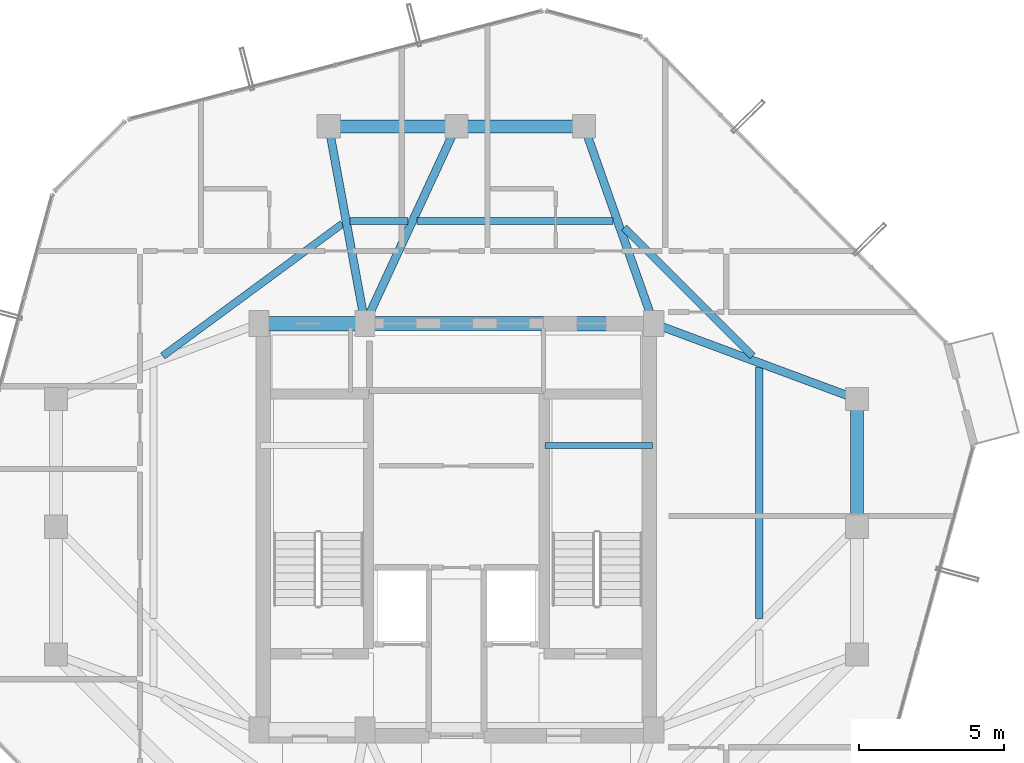
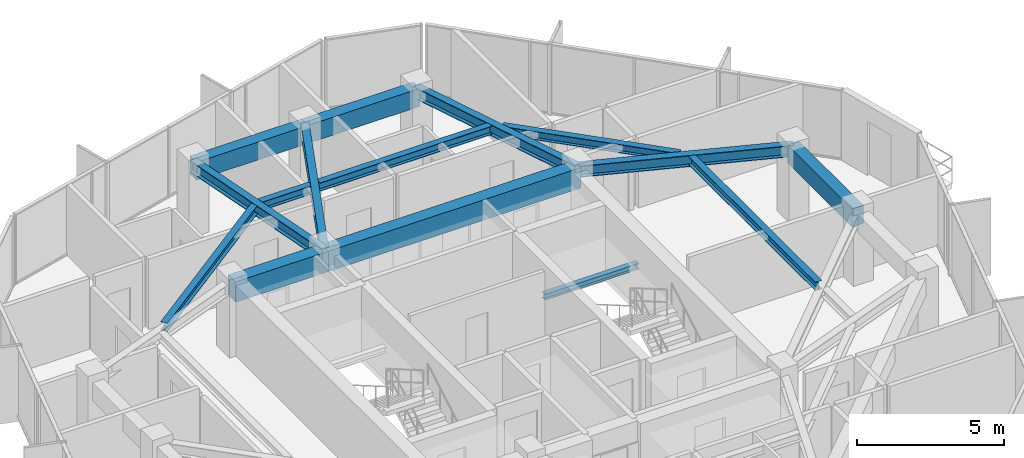
# One storey, part 15 of 29: 15 beams.
"""IFC4 building model written with IfcOpenShell, lengths in metres."""

import ifcopenshell
import ifcopenshell.guid

model = None  # the IFC model being written
_history = None  # IfcOwnerHistory: only IFC2X3 demands one
_inside = {}  # id of a spatial element -> (the spatial element, [elements in it])
_under = {}  # id of a project, library or spatial element -> (it, [spatial elements below it])
_declared = {}  # id of a project -> (the project, [libraries it declares])
_typed = {}  # id of a type object -> (the type object, [elements of that type])
_made_of = {}  # id of a material, layer set ... -> (it, [elements and type objects made of it])


def new_model(schema):
    """Start an empty IFC model of exactly this schema.

    Asked for "IFC4X3", IfcOpenShell would pick the latest addendum, in which some entities
    have other attributes; the version numbers below select the first issue.
    IFC2X3 requires an IfcOwnerHistory on every rooted entity: one is made here for all.
    """
    global model, _history
    if schema == "IFC4X3":
        model = ifcopenshell.file(schema_version=(4, 3, 0, 0))
    else:
        model = ifcopenshell.file(schema=schema)
    _inside.clear()
    _under.clear()
    _declared.clear()
    _typed.clear()
    _made_of.clear()
    _history = None
    if model.schema == "IFC2X3":
        org = make("IfcOrganization", Name="unknown")
        user = make(
            "IfcPersonAndOrganization",
            ThePerson=make("IfcPerson", FamilyName="unknown"),
            TheOrganization=org,
        )
        app = make(
            "IfcApplication",
            ApplicationDeveloper=org,
            Version="unknown",
            ApplicationFullName="unknown",
            ApplicationIdentifier="unknown",
        )
        _history = make(
            "IfcOwnerHistory",
            OwningUser=user,
            OwningApplication=app,
            ChangeAction="ADDED",
            CreationDate=0,
        )
    return model


def make(cls, **values):
    """One entity of the class cls with the attributes given. An attribute that is None is left unset."""
    return model.create_entity(
        cls, **{name: value for name, value in values.items() if value is not None}
    )


def rooted(cls, **values):
    """An entity with a GlobalId (a new one), such as an element, a storey or a relation."""
    return make(cls, GlobalId=ifcopenshell.guid.new(), OwnerHistory=_history, **values)


def si_unit(unit_type, name, prefix=None):
    """IfcSIUnit, for example si_unit("LENGTHUNIT", "METRE", prefix="MILLI")."""
    return make("IfcSIUnit", UnitType=unit_type, Prefix=prefix, Name=name)


def assignment(units):
    """IfcUnitAssignment: the units of a project."""
    return None if units is None else make("IfcUnitAssignment", Units=units)


def point(xyz):
    """IfcCartesianPoint."""
    return None if xyz is None else make("IfcCartesianPoint", Coordinates=xyz)


def direction(xyz):
    """IfcDirection."""
    return None if xyz is None else make("IfcDirection", DirectionRatios=xyz)


def frame(location, z_axis=None, x_axis=None):
    """IfcAxis2Placement3D, a coordinate frame: its origin and axes. An axis left out is left unset."""
    return make(
        "IfcAxis2Placement3D",
        Location=point(location),
        Axis=direction(z_axis),
        RefDirection=direction(x_axis),
    )


def frame_2d(location, x_axis=None):
    """IfcAxis2Placement2D, a coordinate frame in the plane: its origin and x axis."""
    return make(
        "IfcAxis2Placement2D", Location=point(location), RefDirection=direction(x_axis)
    )


def origin():
    """The frame at (0, 0, 0) with its axes left unset."""
    return frame((0.0, 0.0, 0.0))


def origin_2d():
    """The frame at (0, 0) in the plane with its x axis left unset."""
    return frame_2d((0.0, 0.0))


def place(relative_to, where):
    """IfcLocalPlacement: puts the frame where relative to a parent placement (None: the world)."""
    return make(
        "IfcLocalPlacement", PlacementRelTo=relative_to, RelativePlacement=where
    )


def context(
    kind, dimensions, precision=None, world=None, true_north=None, identifier=None
):
    """IfcGeometricRepresentationContext, for example the 3D "Model" context."""
    return make(
        "IfcGeometricRepresentationContext",
        ContextIdentifier=identifier,
        ContextType=kind,
        CoordinateSpaceDimension=dimensions,
        Precision=precision,
        WorldCoordinateSystem=world,
        TrueNorth=true_north,
    )


def subcontext(parent, identifier, kind, view, scale=None):
    """IfcGeometricRepresentationSubContext, for example "Body" below "Model"."""
    return make(
        "IfcGeometricRepresentationSubContext",
        ContextIdentifier=identifier,
        ContextType=kind,
        ParentContext=parent,
        TargetScale=scale,
        TargetView=view,
    )


def project(units=None, contexts=None):
    """IfcProject with its units and contexts."""
    return rooted(
        "IfcProject",
        Name="project",
        RepresentationContexts=contexts,
        UnitsInContext=assignment(units),
    )


def spatial(cls, under=None, at=None, **own):
    """A site, building, storey or space (cls), placed at a placement, below another one or the project."""
    s = rooted(cls, ObjectPlacement=at, **own)
    if under is not None:
        _under.setdefault(under.id(), (under, []))[1].append(s)
    return s


def profile(cls, at=None, kind="AREA", **sizes):
    """A parametric profile (cls). Its sizes go by their IFC names, for example OverallWidth=200.0."""
    return make(cls, ProfileType=kind, Position=at, **sizes)


def rectangle(**sizes):
    """IfcRectangleProfileDef."""
    return profile("IfcRectangleProfileDef", **sizes)


def i_section(**sizes):
    """IfcIShapeProfileDef."""
    return profile("IfcIShapeProfileDef", **sizes)


def extrude(swept, where, along, depth):
    """IfcExtrudedAreaSolid: the profile swept, set in the frame where, extruded along a direction by depth."""
    return make(
        "IfcExtrudedAreaSolid",
        SweptArea=swept,
        Position=where,
        ExtrudedDirection=direction(along),
        Depth=depth,
    )


def shape(context_of_items, identifier, shape_type, items):
    """IfcShapeRepresentation: the items that make up one representation, for example the "Body"."""
    return make(
        "IfcShapeRepresentation",
        ContextOfItems=context_of_items,
        RepresentationIdentifier=identifier,
        RepresentationType=shape_type,
        Items=items,
    )


def material(Name=None, Category=None):
    """IfcMaterial."""
    return make("IfcMaterial", Name=Name, Category=Category)


def material_profile(
    of_material, cross_section, Name=None, Category=None, Priority=None
):
    """IfcMaterialProfile: a cross section and its material."""
    return make(
        "IfcMaterialProfile",
        Name=Name,
        Material=of_material,
        Profile=cross_section,
        Priority=Priority,
        Category=Category,
    )


def profile_set(profiles, Name=None, composite=None):
    """IfcMaterialProfileSet."""
    return make(
        "IfcMaterialProfileSet",
        Name=Name,
        MaterialProfiles=profiles,
        CompositeProfile=composite,
    )


def made_of(thing, what):
    """Note that an element or type object is made of a material, layer set ...; save() writes the relation."""
    if what is not None:
        _made_of.setdefault(what.id(), (what, []))[1].append(thing)
    return thing


def type_object(cls, material=None, **own):
    """A type object (cls), such as IfcWallType, which elements share."""
    return made_of(rooted(cls, **own), material)


def element(
    cls,
    number,
    at=None,
    inside=None,
    cuts=None,
    type_object=None,
    material=None,
    context=None,
    identifier="Body",
    shape_type=None,
    held_by="IfcProductDefinitionShape",
    body=None,
    shapes=None,
    **own,
):
    """One element of the class cls, such as IfcWall. Its Tag is "e" and its number.

    at: its placement. inside: the storey or other place that contains it. cuts: it is an
    opening in that element (IfcRelVoidsElement). A single representation is given by context,
    identifier, shape_type and body (its items); several are given by shapes. held_by: the class
    of the entity that holds the representations. save() writes the other relations.
    """
    e = rooted(cls, Tag="e%d" % number, ObjectPlacement=at, **own)
    if body is not None:
        shapes = [shape(context, identifier, shape_type, body)]
    if shapes is not None:
        e.Representation = make(held_by, Representations=shapes)
    if inside is not None:
        _inside.setdefault(inside.id(), (inside, []))[1].append(e)
    if cuts is not None:
        rooted(
            "IfcRelVoidsElement", RelatingBuildingElement=cuts, RelatedOpeningElement=e
        )
    if type_object is not None:
        _typed.setdefault(type_object.id(), (type_object, []))[1].append(e)
    return made_of(e, material)


def aggregate(whole, parts):
    """IfcRelAggregates: a whole, such as a stair, and the parts it consists of."""
    return rooted("IfcRelAggregates", RelatingObject=whole, RelatedObjects=parts)


def save(model, path):
    """Write the relations noted so far, then the file.

    IfcRelAggregates (storeys below a building ...), IfcRelContainedInSpatialStructure (elements
    in a storey), IfcRelDefinesByType, IfcRelAssociatesMaterial and IfcRelDeclares: one each for
    every whole, place, type object, material and project.
    """
    for whole, parts in _under.values():
        aggregate(whole, parts)
    for where, things in _inside.values():
        rooted(
            "IfcRelContainedInSpatialStructure",
            RelatedElements=things,
            RelatingStructure=where,
        )
    for kind, things in _typed.values():
        rooted("IfcRelDefinesByType", RelatedObjects=things, RelatingType=kind)
    for what, things in _made_of.values():
        rooted("IfcRelAssociatesMaterial", RelatedObjects=things, RelatingMaterial=what)
    for by, libraries in _declared.values():
        rooted("IfcRelDeclares", RelatingContext=by, RelatedDefinitions=libraries)
    model.write(path)


model = new_model("IFC4")

# Units and contexts
model_context = context("Model", 3, precision=1e-05, world=origin(), true_north=direction((0.0, 1.0)))
body_context = subcontext(model_context, "Body", "Model", "MODEL_VIEW")
ifc_project = project(units=[si_unit("LENGTHUNIT", "METRE"), si_unit("AREAUNIT", "SQUARE_METRE"), si_unit("VOLUMEUNIT", "CUBIC_METRE"), si_unit("PLANEANGLEUNIT", "RADIAN"), si_unit("MASSUNIT", "GRAM", prefix="KILO")], contexts=[model_context])

# Site, building, storey
site_placement = place(None, origin())
site = spatial("IfcSite", under=ifc_project, at=site_placement, CompositionType="ELEMENT")
building_placement = place(site_placement, origin())
building = spatial("IfcBuilding", under=site, at=building_placement, Name="Veraguas Prism Commons", CompositionType="ELEMENT")
storey_placement = place(building_placement, frame((0.0, 0.0, 261.0)))
storey = spatial("IfcBuildingStorey", under=building, at=storey_placement, Name="L74", CompositionType="ELEMENT", Elevation=261.0)

# Beams
ifc_material_1 = material(Name="Concrete C50/60", Category="concrete")
ifc_material_profile_1 = material_profile(ifc_material_1, rectangle(XDim=0.5, YDim=0.85009765625, at=origin_2d()), Name="RC500X850")
ifc_profile_set_1 = profile_set([ifc_material_profile_1], Name="Concrete C50/60")
beam_type_1 = type_object("IfcBeamType", Name="Core Coupling Beam RC 500x850", PredefinedType="BEAM", material=ifc_profile_set_1)
beam_1_placement = place(storey_placement, frame((17.199951171875, 31.0, 2.5048828125), z_axis=(1.0, 0.0, 0.0), x_axis=(0.0, 1.0, 0.0)))
element("IfcBeam", 1, at=beam_1_placement, inside=storey, type_object=beam_type_1, Name="Core Coupling Beam L74-CRN1", PredefinedType="BEAM", context=body_context, shape_type="SweptSolid", body=[
    extrude(rectangle(XDim=0.5, YDim=0.85009765625, at=origin_2d()), origin(), (0.0, 0.0, 1.0), 3.650146484375),
])
beam_2_placement = place(storey_placement, frame((20.85009765625, 31.0, 2.5048828125), z_axis=(1.0, 0.0, 0.0), x_axis=(0.0, 1.0, 0.0)))
element("IfcBeam", 2, at=beam_2_placement, inside=storey, type_object=beam_type_1, Name="Core Coupling Beam L74-CRN2", PredefinedType="BEAM", context=body_context, shape_type="SweptSolid", body=[
    extrude(rectangle(XDim=0.5, YDim=0.85009765625, at=origin_2d()), origin(), (0.0, 0.0, 1.0), 9.949951171875),
])
ifc_material_profile_2 = material_profile(ifc_material_1, rectangle(XDim=0.449951171875, YDim=0.75, at=origin_2d()), Name="RC450X750")
ifc_profile_set_2 = profile_set([ifc_material_profile_2], Name="Concrete C50/60")
beam_type_2 = type_object("IfcBeamType", Name="Perimeter Spandrel Upper RC 450x750", PredefinedType="SPANDREL", material=ifc_profile_set_2)
for number, where, z_axis, x_axis, name in (
    (3, (37.800048828125, 24.0, 2.554931640625), (0.0, 1.0, 0.0), (-1.0, 0.0, 0.0), "Perimeter Spandrel Beam L74-SP02"),
    (4, (28.39990234375, 37.800048828125, 2.554931640625), (-1.0, 0.0, 0.0), (0.0, -1.0, 0.0), "Perimeter Spandrel Beam L74-SP04"),
    (5, (24.0, 37.800048828125, 2.554931640625), (-1.0, 0.0, 0.0), (0.0, -1.0, 0.0), "Perimeter Spandrel Beam L74-SP05"),
):
    element("IfcBeam", number, at=place(storey_placement, frame(where, z_axis=z_axis, x_axis=x_axis)), inside=storey, type_object=beam_type_2, Name=name, PredefinedType="SPANDREL", context=body_context, shape_type="SweptSolid", body=[
        extrude(rectangle(XDim=0.449951171875, YDim=0.75, at=origin_2d()), origin(), (0.0, 0.0, 1.0), 4.39990234375),
    ])
ifc_material_2 = material(Name="Steel ASTM A992 Grade 50", Category="steel")
ifc_material_profile_3 = material_profile(ifc_material_2, i_section(OverallWidth=0.202880859375, OverallDepth=0.251953125, WebThickness=0.008056640625, FlangeThickness=0.013427734375, at=origin_2d()), Name="W250X58")
ifc_profile_set_3 = profile_set([ifc_material_profile_3], Name="Steel ASTM A992 Grade 50")
beam_type_3 = type_object("IfcBeamType", Name="Structural Opening Lintel W250x58", PredefinedType="LINTEL", material=ifc_profile_set_3)
beam_3_placement = place(storey_placement, frame((27.050048828125, 26.800048828125, 1.299072265625), z_axis=(1.0, 0.0, 0.0), x_axis=(0.0, 1.0, 0.0)))
element("IfcBeam", 6, at=beam_3_placement, inside=storey, type_object=beam_type_3, Name="Stair ST-02 Half-Landing Support Beam L74-1", PredefinedType="LINTEL", context=body_context, shape_type="SweptSolid", body=[
    extrude(i_section(OverallWidth=0.202880859375, OverallDepth=0.251953125, WebThickness=0.008056640625, FlangeThickness=0.013427734375, at=origin_2d()), origin(), (0.0, 0.0, 1.0), 3.699951171875),
])
ifc_material_profile_4 = material_profile(ifc_material_2, i_section(OverallWidth=0.25390625, OverallDepth=0.35302734375, WebThickness=0.009521484375, FlangeThickness=0.016357421875, at=origin_2d()), Name="W360X91")
ifc_profile_set_4 = profile_set([ifc_material_profile_4], Name="Steel ASTM A992 Grade 50")
beam_type_4 = type_object("IfcBeamType", Name="Upper Floor Joist W360x91", PredefinedType="JOIST", material=ifc_profile_set_4)
beam_4_placement = place(storey_placement, frame((34.43994140625, 20.83740234375, 2.75341796875), z_axis=(0.0, 1.0, 0.0), x_axis=(-1.0, 0.0, 0.0)))
element("IfcBeam", 7, at=beam_4_placement, inside=storey, type_object=beam_type_4, Name="Composite Floor Joist L74-JS02", PredefinedType="JOIST", context=body_context, shape_type="SweptSolid", body=[
    extrude(i_section(OverallWidth=0.25390625, OverallDepth=0.35302734375, WebThickness=0.009521484375, FlangeThickness=0.016357421875, at=origin_2d()), origin(), (0.0, 0.0, 1.0), 8.661865234375),
])
beam_5_placement = place(storey_placement, frame((34.203369140625, 29.884765625, 2.75341796875), z_axis=(-0.707126297541, 0.707087264294, 0.0), x_axis=(-0.707087264294, -0.707126297541, 0.0)))
element("IfcBeam", 8, at=beam_5_placement, inside=storey, type_object=beam_type_4, Name="Composite Floor Joist L74-JS03", PredefinedType="JOIST", context=body_context, shape_type="SweptSolid", body=[
    extrude(i_section(OverallWidth=0.25390625, OverallDepth=0.35302734375, WebThickness=0.009521484375, FlangeThickness=0.016357421875, at=origin_2d()), origin(), (0.0, 0.0, 1.0), 6.254638671875),
])
beam_6_placement = place(storey_placement, frame((29.404052734375, 34.535888671875, 2.75341796875), z_axis=(-1.0, 0.0, 0.0), x_axis=(0.0, -1.0, 0.0)))
element("IfcBeam", 9, at=beam_6_placement, inside=storey, type_object=beam_type_4, Name="Composite Floor Joist L74-JS04", PredefinedType="JOIST", context=body_context, shape_type="SweptSolid", body=[
    extrude(i_section(OverallWidth=0.25390625, OverallDepth=0.35302734375, WebThickness=0.009521484375, FlangeThickness=0.016357421875, at=origin_2d()), origin(), (0.0, 0.0, 1.0), 6.762451171875),
])
beam_7_placement = place(storey_placement, frame((22.334228515625, 34.535888671875, 2.75341796875), z_axis=(-1.0, 0.0, 0.0), x_axis=(0.0, -1.0, 0.0)))
element("IfcBeam", 10, at=beam_7_placement, inside=storey, type_object=beam_type_4, Name="Composite Floor Joist L74-JS05", PredefinedType="JOIST", context=body_context, shape_type="SweptSolid", body=[
    extrude(i_section(OverallWidth=0.25390625, OverallDepth=0.35302734375, WebThickness=0.009521484375, FlangeThickness=0.016357421875, at=origin_2d()), origin(), (0.0, 0.0, 1.0), 1.992431640625),
])
beam_8_placement = place(storey_placement, frame((20.0751953125, 34.444091796875, 2.75341796875), z_axis=(-0.805319835229, -0.592840588174, 0.0), x_axis=(0.592840588174, -0.805319835229, 0.0)))
element("IfcBeam", 11, at=beam_8_placement, inside=storey, type_object=beam_type_4, Name="Composite Floor Joist L74-JS06", PredefinedType="JOIST", context=body_context, shape_type="SweptSolid", body=[
    extrude(i_section(OverallWidth=0.25390625, OverallDepth=0.35302734375, WebThickness=0.009521484375, FlangeThickness=0.016357421875, at=origin_2d()), origin(), (0.0, 0.0, 1.0), 7.69140625),
])
ifc_material_profile_5 = material_profile(ifc_material_2, i_section(OverallWidth=0.282958984375, OverallDepth=0.471923828125, WebThickness=0.013671875, FlangeThickness=0.022216796875, at=origin_2d()), Name="W460X144")
ifc_profile_set_5 = profile_set([ifc_material_profile_5], Name="Steel ASTM A992 Grade 50")
beam_type_5 = type_object("IfcBeamType", Name="Zone 4 Radial Girder W460x144", PredefinedType="BEAM", material=ifc_profile_set_5)
beam_9_placement = place(storey_placement, frame((37.800048828125, 28.39990234375, 2.694091796875), z_axis=(-0.937421003341, 0.348198021958, 0.0), x_axis=(-0.348198021958, -0.937421003341, 0.0)))
element("IfcBeam", 12, at=beam_9_placement, inside=storey, type_object=beam_type_5, Name="Radial Floor Girder L74-RD03", PredefinedType="BEAM", context=body_context, shape_type="SweptSolid", body=[
    extrude(i_section(OverallWidth=0.282958984375, OverallDepth=0.471923828125, WebThickness=0.013671875, FlangeThickness=0.022216796875, at=origin_2d()), origin(), (0.0, 0.0, 1.0), 7.46728515625),
])
beam_10_placement = place(storey_placement, frame((28.39990234375, 37.800048828125, 2.694091796875), z_axis=(0.332836055941, -0.942984708182, 0.0), x_axis=(0.942984708182, 0.332836055941, 0.0)))
element("IfcBeam", 13, at=beam_10_placement, inside=storey, type_object=beam_type_5, Name="Radial Floor Girder L74-RD04", PredefinedType="BEAM", context=body_context, shape_type="SweptSolid", body=[
    extrude(i_section(OverallWidth=0.282958984375, OverallDepth=0.471923828125, WebThickness=0.013671875, FlangeThickness=0.022216796875, at=origin_2d()), origin(), (0.0, 0.0, 1.0), 7.211181640625),
])
beam_11_placement = place(storey_placement, frame((24.0, 37.800048828125, 2.694091796875), z_axis=(-0.420313834543, -0.907378796585, 0.0), x_axis=(0.907378796585, -0.420313834543, 0.0)))
element("IfcBeam", 14, at=beam_11_placement, inside=storey, type_object=beam_type_5, Name="Radial Floor Girder L74-RD05", PredefinedType="BEAM", context=body_context, shape_type="SweptSolid", body=[
    extrude(i_section(OverallWidth=0.282958984375, OverallDepth=0.471923828125, WebThickness=0.013671875, FlangeThickness=0.022216796875, at=origin_2d()), origin(), (0.0, 0.0, 1.0), 7.494140625),
])
beam_12_placement = place(storey_placement, frame((19.60009765625, 37.800048828125, 2.694091796875), z_axis=(0.180793033327, -0.983521163524, 0.0), x_axis=(0.983521163524, 0.180793033327, 0.0)))
element("IfcBeam", 15, at=beam_12_placement, inside=storey, type_object=beam_type_5, Name="Radial Floor Girder L74-RD06", PredefinedType="BEAM", context=body_context, shape_type="SweptSolid", body=[
    extrude(i_section(OverallWidth=0.282958984375, OverallDepth=0.471923828125, WebThickness=0.013671875, FlangeThickness=0.022216796875, at=origin_2d()), origin(), (0.0, 0.0, 1.0), 6.9140625),
])

save(model, "model.ifc")
